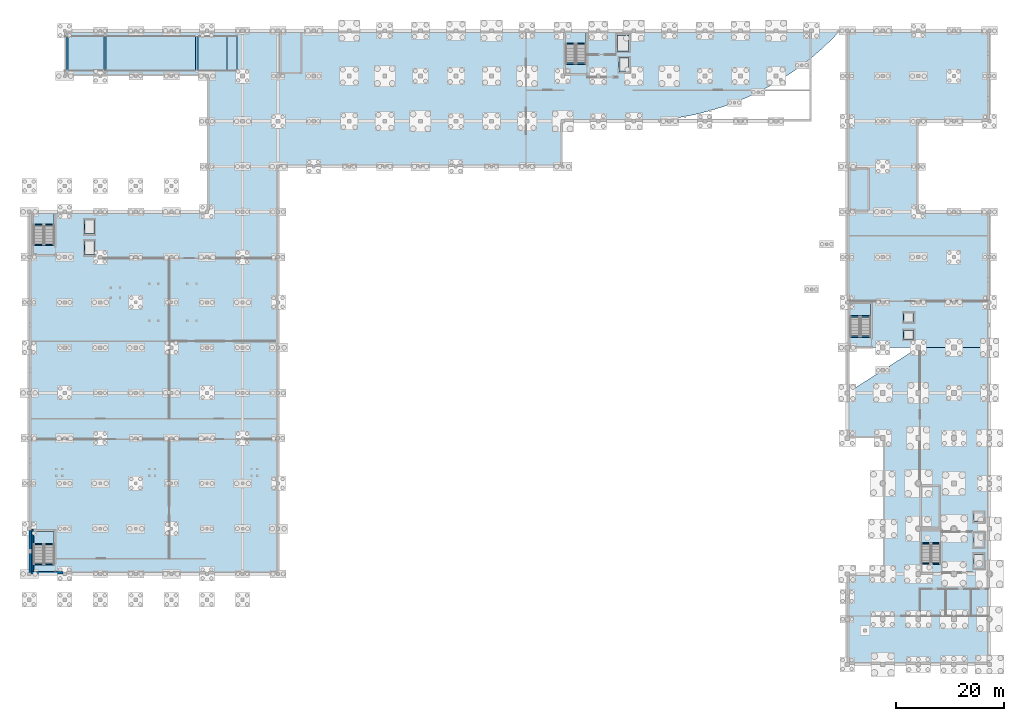
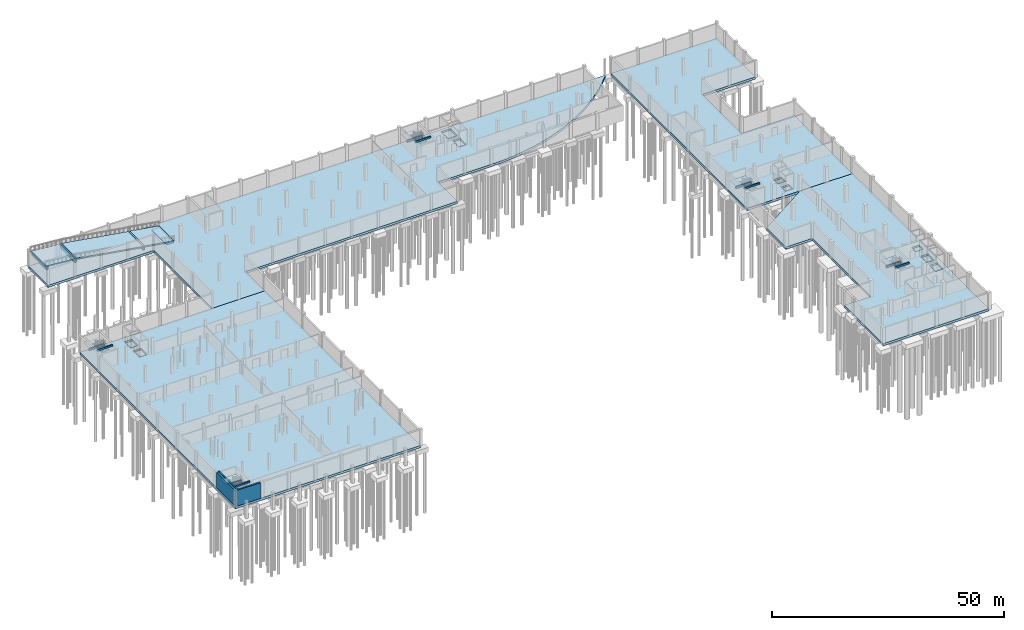
# One storey, part 12 of 25: 24 slabs, 13 beams, 3 walls, 5 elements without a shape of their own.
"""IFC4 building model written with IfcOpenShell, lengths in metres."""

import ifcopenshell
import ifcopenshell.guid

model = None  # the IFC model being written
_history = None  # IfcOwnerHistory: only IFC2X3 demands one
_inside = {}  # id of a spatial element -> (the spatial element, [elements in it])
_under = {}  # id of a project, library or spatial element -> (it, [spatial elements below it])
_declared = {}  # id of a project -> (the project, [libraries it declares])
_typed = {}  # id of a type object -> (the type object, [elements of that type])
_made_of = {}  # id of a material, layer set ... -> (it, [elements and type objects made of it])


def new_model(schema):
    """Start an empty IFC model of exactly this schema.

    Asked for "IFC4X3", IfcOpenShell would pick the latest addendum, in which some entities
    have other attributes; the version numbers below select the first issue.
    IFC2X3 requires an IfcOwnerHistory on every rooted entity: one is made here for all.
    """
    global model, _history
    if schema == "IFC4X3":
        model = ifcopenshell.file(schema_version=(4, 3, 0, 0))
    else:
        model = ifcopenshell.file(schema=schema)
    _inside.clear()
    _under.clear()
    _declared.clear()
    _typed.clear()
    _made_of.clear()
    _history = None
    if model.schema == "IFC2X3":
        org = make("IfcOrganization", Name="unknown")
        user = make(
            "IfcPersonAndOrganization",
            ThePerson=make("IfcPerson", FamilyName="unknown"),
            TheOrganization=org,
        )
        app = make(
            "IfcApplication",
            ApplicationDeveloper=org,
            Version="unknown",
            ApplicationFullName="unknown",
            ApplicationIdentifier="unknown",
        )
        _history = make(
            "IfcOwnerHistory",
            OwningUser=user,
            OwningApplication=app,
            ChangeAction="ADDED",
            CreationDate=0,
        )
    return model


def make(cls, **values):
    """One entity of the class cls with the attributes given. An attribute that is None is left unset."""
    return model.create_entity(
        cls, **{name: value for name, value in values.items() if value is not None}
    )


def rooted(cls, **values):
    """An entity with a GlobalId (a new one), such as an element, a storey or a relation."""
    return make(cls, GlobalId=ifcopenshell.guid.new(), OwnerHistory=_history, **values)


def si_unit(unit_type, name, prefix=None):
    """IfcSIUnit, for example si_unit("LENGTHUNIT", "METRE", prefix="MILLI")."""
    return make("IfcSIUnit", UnitType=unit_type, Prefix=prefix, Name=name)


def assignment(units):
    """IfcUnitAssignment: the units of a project."""
    return None if units is None else make("IfcUnitAssignment", Units=units)


def point(xyz):
    """IfcCartesianPoint."""
    return None if xyz is None else make("IfcCartesianPoint", Coordinates=xyz)


def direction(xyz):
    """IfcDirection."""
    return None if xyz is None else make("IfcDirection", DirectionRatios=xyz)


def frame(location, z_axis=None, x_axis=None):
    """IfcAxis2Placement3D, a coordinate frame: its origin and axes. An axis left out is left unset."""
    return make(
        "IfcAxis2Placement3D",
        Location=point(location),
        Axis=direction(z_axis),
        RefDirection=direction(x_axis),
    )


def frame_2d(location, x_axis=None):
    """IfcAxis2Placement2D, a coordinate frame in the plane: its origin and x axis."""
    return make(
        "IfcAxis2Placement2D", Location=point(location), RefDirection=direction(x_axis)
    )


def origin():
    """The frame at (0, 0, 0) with its axes left unset."""
    return frame((0.0, 0.0, 0.0))


def origin_2d():
    """The frame at (0, 0) in the plane with its x axis left unset."""
    return frame_2d((0.0, 0.0))


def place(relative_to, where):
    """IfcLocalPlacement: puts the frame where relative to a parent placement (None: the world)."""
    return make(
        "IfcLocalPlacement", PlacementRelTo=relative_to, RelativePlacement=where
    )


def context(
    kind, dimensions, precision=None, world=None, true_north=None, identifier=None
):
    """IfcGeometricRepresentationContext, for example the 3D "Model" context."""
    return make(
        "IfcGeometricRepresentationContext",
        ContextIdentifier=identifier,
        ContextType=kind,
        CoordinateSpaceDimension=dimensions,
        Precision=precision,
        WorldCoordinateSystem=world,
        TrueNorth=true_north,
    )


def subcontext(parent, identifier, kind, view, scale=None):
    """IfcGeometricRepresentationSubContext, for example "Body" below "Model"."""
    return make(
        "IfcGeometricRepresentationSubContext",
        ContextIdentifier=identifier,
        ContextType=kind,
        ParentContext=parent,
        TargetScale=scale,
        TargetView=view,
    )


def project(units=None, contexts=None):
    """IfcProject with its units and contexts."""
    return rooted(
        "IfcProject",
        Name="project",
        RepresentationContexts=contexts,
        UnitsInContext=assignment(units),
    )


def spatial(cls, under=None, at=None, **own):
    """A site, building, storey or space (cls), placed at a placement, below another one or the project."""
    s = rooted(cls, ObjectPlacement=at, **own)
    if under is not None:
        _under.setdefault(under.id(), (under, []))[1].append(s)
    return s


def polyline(points):
    """IfcPolyline through the points."""
    return make("IfcPolyline", Points=[point(p) for p in points])


def profile(cls, at=None, kind="AREA", **sizes):
    """A parametric profile (cls). Its sizes go by their IFC names, for example OverallWidth=200.0."""
    return make(cls, ProfileType=kind, Position=at, **sizes)


def rectangle(**sizes):
    """IfcRectangleProfileDef."""
    return profile("IfcRectangleProfileDef", **sizes)


def outline(outer, holes=None, kind="AREA"):
    """IfcArbitraryClosedProfileDef: a profile drawn as a closed curve; with holes, ...WithVoids."""
    if holes is None:
        return make("IfcArbitraryClosedProfileDef", ProfileType=kind, OuterCurve=outer)
    return make(
        "IfcArbitraryProfileDefWithVoids",
        ProfileType=kind,
        OuterCurve=outer,
        InnerCurves=holes,
    )


def extrude(swept, where, along, depth):
    """IfcExtrudedAreaSolid: the profile swept, set in the frame where, extruded along a direction by depth."""
    return make(
        "IfcExtrudedAreaSolid",
        SweptArea=swept,
        Position=where,
        ExtrudedDirection=direction(along),
        Depth=depth,
    )


def shape(context_of_items, identifier, shape_type, items):
    """IfcShapeRepresentation: the items that make up one representation, for example the "Body"."""
    return make(
        "IfcShapeRepresentation",
        ContextOfItems=context_of_items,
        RepresentationIdentifier=identifier,
        RepresentationType=shape_type,
        Items=items,
    )


def material(Name=None, Category=None):
    """IfcMaterial."""
    return make("IfcMaterial", Name=Name, Category=Category)


def layer(
    of_material, thickness, ventilated=None, Name=None, Category=None, Priority=None
):
    """IfcMaterialLayer: one layer of a wall or slab, of a material (None: an air gap)."""
    return make(
        "IfcMaterialLayer",
        Material=of_material,
        LayerThickness=thickness,
        IsVentilated=ventilated,
        Name=Name,
        Category=Category,
        Priority=Priority,
    )


def layer_set(layers, Name=None):
    """IfcMaterialLayerSet."""
    return make("IfcMaterialLayerSet", MaterialLayers=layers, LayerSetName=Name)


def material_profile(
    of_material, cross_section, Name=None, Category=None, Priority=None
):
    """IfcMaterialProfile: a cross section and its material."""
    return make(
        "IfcMaterialProfile",
        Name=Name,
        Material=of_material,
        Profile=cross_section,
        Priority=Priority,
        Category=Category,
    )


def profile_set(profiles, Name=None, composite=None):
    """IfcMaterialProfileSet."""
    return make(
        "IfcMaterialProfileSet",
        Name=Name,
        MaterialProfiles=profiles,
        CompositeProfile=composite,
    )


def made_of(thing, what):
    """Note that an element or type object is made of a material, layer set ...; save() writes the relation."""
    if what is not None:
        _made_of.setdefault(what.id(), (what, []))[1].append(thing)
    return thing


def type_object(cls, material=None, **own):
    """A type object (cls), such as IfcWallType, which elements share."""
    return made_of(rooted(cls, **own), material)


def element(
    cls,
    number,
    at=None,
    inside=None,
    cuts=None,
    type_object=None,
    material=None,
    context=None,
    identifier="Body",
    shape_type=None,
    held_by="IfcProductDefinitionShape",
    body=None,
    shapes=None,
    **own,
):
    """One element of the class cls, such as IfcWall. Its Tag is "e" and its number.

    at: its placement. inside: the storey or other place that contains it. cuts: it is an
    opening in that element (IfcRelVoidsElement). A single representation is given by context,
    identifier, shape_type and body (its items); several are given by shapes. held_by: the class
    of the entity that holds the representations. save() writes the other relations.
    """
    e = rooted(cls, Tag="e%d" % number, ObjectPlacement=at, **own)
    if body is not None:
        shapes = [shape(context, identifier, shape_type, body)]
    if shapes is not None:
        e.Representation = make(held_by, Representations=shapes)
    if inside is not None:
        _inside.setdefault(inside.id(), (inside, []))[1].append(e)
    if cuts is not None:
        rooted(
            "IfcRelVoidsElement", RelatingBuildingElement=cuts, RelatedOpeningElement=e
        )
    if type_object is not None:
        _typed.setdefault(type_object.id(), (type_object, []))[1].append(e)
    return made_of(e, material)


def aggregate(whole, parts):
    """IfcRelAggregates: a whole, such as a stair, and the parts it consists of."""
    return rooted("IfcRelAggregates", RelatingObject=whole, RelatedObjects=parts)


def save(model, path):
    """Write the relations noted so far, then the file.

    IfcRelAggregates (storeys below a building ...), IfcRelContainedInSpatialStructure (elements
    in a storey), IfcRelDefinesByType, IfcRelAssociatesMaterial and IfcRelDeclares: one each for
    every whole, place, type object, material and project.
    """
    for whole, parts in _under.values():
        aggregate(whole, parts)
    for where, things in _inside.values():
        rooted(
            "IfcRelContainedInSpatialStructure",
            RelatedElements=things,
            RelatingStructure=where,
        )
    for kind, things in _typed.values():
        rooted("IfcRelDefinesByType", RelatedObjects=things, RelatingType=kind)
    for what, things in _made_of.values():
        rooted("IfcRelAssociatesMaterial", RelatedObjects=things, RelatingMaterial=what)
    for by, libraries in _declared.values():
        rooted("IfcRelDeclares", RelatingContext=by, RelatedDefinitions=libraries)
    model.write(path)


model = new_model("IFC4")

# Units and contexts
model_context = context("Model", 3, precision=1e-05, world=origin(), true_north=direction((0.0, 1.0)))
body_context = subcontext(model_context, "Body", "Model", "MODEL_VIEW")
ifc_project = project(units=[si_unit("LENGTHUNIT", "METRE"), si_unit("AREAUNIT", "SQUARE_METRE"), si_unit("VOLUMEUNIT", "CUBIC_METRE"), si_unit("PLANEANGLEUNIT", "RADIAN"), si_unit("MASSUNIT", "GRAM", prefix="KILO")], contexts=[model_context])

# Site, building, storey
site_placement = place(None, origin())
site = spatial("IfcSite", under=ifc_project, at=site_placement, CompositionType="ELEMENT")
building_placement = place(site_placement, origin())
building = spatial("IfcBuilding", under=site, at=building_placement, Name="Qaldarim Faculty of Natural and Applied Sciences", CompositionType="ELEMENT")
storey_placement = place(building_placement, frame((0.0, 0.0, -4.5)))
storey = spatial("IfcBuildingStorey", under=building, at=storey_placement, Name="B01", CompositionType="ELEMENT", Elevation=-4.5)

# Beams
ifc_material_1 = material(Name="Concrete C50/60", Category="concrete")
ifc_material_profile_1 = material_profile(ifc_material_1, rectangle(XDim=0.39990234375, YDim=0.75, at=origin_2d()), Name="RC-B400x750")
ifc_profile_set_1 = profile_set([ifc_material_profile_1], Name="Concrete C50/60")
beam_type_1 = type_object("IfcBeamType", Name="LabGirder-RC400x750", PredefinedType="BEAM", material=ifc_profile_set_1)
for number, where, z_axis, x_axis, name in (
    (1, (7.0, 110.199951171875, 3.760009765625), (0.0, 1.0, 0.0), (-1.0, 0.0, 0.0), "Vehicle ramp transverse support girder TOP"),
    (2, (14.10009765625, 110.199951171875, 3.215087890625), (0.0, 1.0, 0.0), (-1.0, 0.0, 0.0), "Vehicle ramp transverse support girder M1"),
    (3, (31.10009765625, 110.199951171875, 0.514892578125), (0.0, 1.0, 0.0), (-1.0, 0.0, 0.0), "Vehicle ramp transverse support girder M2"),
):
    element("IfcBeam", number, at=place(storey_placement, frame(where, z_axis=z_axis, x_axis=x_axis)), inside=storey, type_object=beam_type_1, Name=name, PredefinedType="BEAM", context=body_context, shape_type="SweptSolid", body=[
        extrude(rectangle(XDim=0.39990234375, YDim=0.75, at=origin_2d()), origin(), (0.0, 0.0, 1.0), 6.400146484375),
    ])
ifc_material_2 = material(Name="Concrete C40/50", Category="concrete")
ifc_material_profile_2 = material_profile(ifc_material_2, rectangle(XDim=0.25, YDim=0.449951171875, at=origin_2d()), Name="RC-LN250x450")
ifc_profile_set_2 = profile_set([ifc_material_profile_2], Name="Concrete C40/50")
beam_type_2 = type_object("IfcBeamType", Name="LandingSupportBeam-RC250x450", PredefinedType="BEAM", material=ifc_profile_set_2)
for number, where, z_axis, x_axis, name in (
    (4, (165.60009765625, 22.455078125, 1.81494140625), (1.0, 0.0, 0.0), (0.0, 1.0, 0.0), "Stair landing support beam ST-A1 B01"),
    (5, (165.60009765625, 18.75, 3.9150390625), (1.0, 0.0, 0.0), (0.0, 1.0, 0.0), "Stair arrival support beam ST-A1 B01"),
):
    element("IfcBeam", number, at=place(storey_placement, frame(where, z_axis=z_axis, x_axis=x_axis)), inside=storey, type_object=beam_type_2, Name=name, PredefinedType="BEAM", context=body_context, shape_type="SweptSolid", body=[
        extrude(rectangle(XDim=0.25, YDim=0.449951171875, at=origin_2d()), origin(), (0.0, 0.0, 1.0), 3.5),
    ])
for number, where, z_axis, x_axis, name in (
    (6, (99.550048828125, 115.205078125, 1.81494140625), (1.0, 0.0, 0.0), (0.0, 1.0, 0.0), "Stair landing support beam ST-B1 B01"),
    (7, (99.550048828125, 111.5, 3.9150390625), (1.0, 0.0, 0.0), (0.0, 1.0, 0.0), "Stair arrival support beam ST-B1 B01"),
):
    element("IfcBeam", number, at=place(storey_placement, frame(where, z_axis=z_axis, x_axis=x_axis)), inside=storey, type_object=beam_type_2, Name=name, PredefinedType="BEAM", context=body_context, shape_type="SweptSolid", body=[
        extrude(rectangle(XDim=0.25, YDim=0.449951171875, at=origin_2d()), origin(), (0.0, 0.0, 1.0), 3.800048828125),
    ])
for number, where, z_axis, x_axis, name in (
    (8, (152.35009765625, 64.554931640625, 1.81494140625), (1.0, 0.0, 0.0), (0.0, 1.0, 0.0), "Stair landing support beam ST-C1 B01"),
    (9, (152.35009765625, 60.85009765625, 3.9150390625), (1.0, 0.0, 0.0), (0.0, 1.0, 0.0), "Stair arrival support beam ST-C1 B01"),
    (10, (0.85009765625, 22.304931640625, 1.81494140625), (1.0, 0.0, 0.0), (0.0, 1.0, 0.0), "Stair landing support beam ST-D1 B01"),
    (11, (0.85009765625, 18.60009765625, 3.9150390625), (1.0, 0.0, 0.0), (0.0, 1.0, 0.0), "Stair arrival support beam ST-D1 B01"),
    (12, (0.85009765625, 81.60498046875, 1.81494140625), (1.0, 0.0, 0.0), (0.0, 1.0, 0.0), "Stair landing support beam ST-D2 B01"),
    (13, (0.85009765625, 77.89990234375, 3.9150390625), (1.0, 0.0, 0.0), (0.0, 1.0, 0.0), "Stair arrival support beam ST-D2 B01"),
):
    element("IfcBeam", number, at=place(storey_placement, frame(where, z_axis=z_axis, x_axis=x_axis)), inside=storey, type_object=beam_type_2, Name=name, PredefinedType="BEAM", context=body_context, shape_type="SweptSolid", body=[
        extrude(rectangle(XDim=0.25, YDim=0.449951171875, at=origin_2d()), origin(), (0.0, 0.0, 1.0), 3.7998046875),
    ])

# Slabs
ifc_layer_1 = layer(ifc_material_2, 0.60009765625)
ifc_layer_set_1 = layer_set([ifc_layer_1], Name="Concrete C40/50")
slab_type_1 = type_object("IfcSlabType", Name="BaseFoundationSlab-600", PredefinedType="BASESLAB", material=ifc_layer_set_1)
slab_1_placement = place(storey_placement, frame((0.0, 0.0, -0.60009765625)))
element("IfcSlab", 14, at=slab_1_placement, inside=storey, type_object=slab_type_1, Name="Floor slab B01 WEST", PredefinedType="BASESLAB", context=body_context, shape_type="SweptSolid", body=[
    extrude(outline(polyline([(0.0, 16.800048828125), (0.0, 84.0), (46.199951171875, 84.0), (46.199951171875, 16.800048828125), (0.0, 16.800048828125)]), holes=[polyline([(10.25, 75.949951171875), (12.14990234375, 75.949951171875), (12.14990234375, 78.64990234375), (10.25, 78.64990234375), (10.25, 75.949951171875)]), polyline([(10.25, 79.85009765625), (12.14990234375, 79.85009765625), (12.14990234375, 82.550048828125), (10.25, 82.550048828125), (10.25, 79.85009765625)])]), origin(), (0.0, 0.0, 1.0), 0.60009765625),
])
slab_2_placement = place(storey_placement, frame((0.0, 0.0, -0.60009765625)))
element("IfcSlab", 15, at=slab_2_placement, inside=storey, type_object=slab_type_1, Name="Floor slab B01 V4", PredefinedType="BASESLAB", context=body_context, shape_type="SweptSolid", body=[
    extrude(outline(polyline([(33.0, 109.199951171875), (6.60009765625, 109.199951171875), (6.60009765625, 117.60009765625), (150.47509765625, 117.60009765625), (148.81494140625, 115.8798828125), (147.080078125, 114.235107421875), (145.27490234375, 112.675048828125), (143.39501953125, 111.195068359375), (141.449951171875, 109.804931640625), (139.445068359375, 108.510009765625), (137.3798828125, 107.304931640625), (135.264892578125, 106.195068359375), (133.10009765625, 105.18505859375), (130.889892578125, 104.27490234375), (128.639892578125, 103.469970703125), (126.360107421875, 102.764892578125), (124.044921875, 102.1650390625), (121.705078125, 101.675048828125), (119.344970703125, 101.294921875), (116.97509765625, 101.02001953125), (114.590087890625, 100.85498046875), (112.199951171875, 100.800048828125), (99.0, 100.800048828125), (99.0, 92.39990234375), (46.199951171875, 92.39990234375), (46.199951171875, 84.0), (33.0, 84.0), (33.0, 109.199951171875)]), holes=[polyline([(109.449951171875, 109.949951171875), (111.35009765625, 109.949951171875), (111.35009765625, 112.64990234375), (109.449951171875, 112.64990234375), (109.449951171875, 109.949951171875)]), polyline([(109.050048828125, 113.75), (111.35009765625, 113.75), (111.35009765625, 116.85009765625), (109.050048828125, 116.85009765625), (109.050048828125, 113.75)]), polyline([(36.699951171875, 110.14990234375), (38.60009765625, 110.14990234375), (38.60009765625, 116.64990234375), (36.699951171875, 116.64990234375), (36.699951171875, 110.14990234375)])]), origin(), (0.0, 0.0, 1.0), 0.60009765625),
])
slab_3_placement = place(storey_placement, frame((0.0, 0.0, -0.60009765625)))
element("IfcSlab", 16, at=slab_3_placement, inside=storey, type_object=slab_type_1, Name="Floor slab B01 V3", PredefinedType="BASESLAB", context=body_context, shape_type="SweptSolid", body=[
    extrude(outline(polyline([(151.800048828125, 58.800048828125), (151.800048828125, 117.60009765625), (178.199951171875, 117.60009765625), (178.199951171875, 100.800048828125), (165.0, 100.800048828125), (165.0, 84.0), (178.199951171875, 84.0), (178.199951171875, 58.800048828125), (151.800048828125, 58.800048828125)]), holes=[polyline([(162.25, 60.300048828125), (164.14990234375, 60.300048828125), (164.14990234375, 62.10009765625), (162.25, 62.10009765625), (162.25, 60.300048828125)]), polyline([(162.25, 63.5), (164.14990234375, 63.5), (164.14990234375, 65.300048828125), (162.25, 65.300048828125), (162.25, 63.5)])]), origin(), (0.0, 0.0, 1.0), 0.60009765625),
])
slab_4_placement = place(storey_placement, frame((0.0, 0.0, -0.60009765625)))
element("IfcSlab", 17, at=slab_4_placement, inside=storey, type_object=slab_type_1, Name="Floor slab B01 V5", PredefinedType="BASESLAB", context=body_context, shape_type="SweptSolid", body=[
    extrude(outline(polyline([(151.800048828125, 0.0), (178.199951171875, 0.0), (178.199951171875, 58.800048828125), (165.0, 58.800048828125), (151.800048828125, 50.39990234375), (151.800048828125, 42.0), (158.39990234375, 42.0), (158.39990234375, 16.800048828125), (151.800048828125, 16.800048828125), (151.800048828125, 0.0)]), holes=[polyline([(175.25, 17.85009765625), (177.14990234375, 17.85009765625), (177.14990234375, 20.550048828125), (175.25, 20.550048828125), (175.25, 17.85009765625)]), polyline([(175.25, 21.75), (177.14990234375, 21.75), (177.14990234375, 24.449951171875), (175.25, 24.449951171875), (175.25, 21.75)]), polyline([(175.25, 26.5), (177.14990234375, 26.5), (177.14990234375, 28.300048828125), (175.25, 28.300048828125), (175.25, 26.5)])]), origin(), (0.0, 0.0, 1.0), 0.60009765625),
])
ifc_layer_2 = layer(ifc_material_2, 0.2099609375)
ifc_layer_set_2 = layer_set([ifc_layer_2], Name="Concrete C40/50")
slab_type_2 = type_object("IfcSlabType", Name="LiftPitBaseSlab-210", PredefinedType="BASESLAB", material=ifc_layer_set_2)
slab_5_placement = place(storey_placement, frame((0.0, 0.0, -0.60009765625)))
element("IfcSlab", 18, at=slab_5_placement, inside=storey, type_object=slab_type_2, Name="Lift pit slab LF-A1", PredefinedType="BASESLAB", context=body_context, shape_type="SweptSolid", body=[
    extrude(outline(polyline([(175.25, 17.85009765625), (177.14990234375, 17.85009765625), (177.14990234375, 20.550048828125), (175.25, 20.550048828125), (175.25, 17.85009765625)])), origin(), (0.0, 0.0, 1.0), 0.210205078125),
])
slab_6_placement = place(storey_placement, frame((0.0, 0.0, -0.60009765625)))
element("IfcSlab", 19, at=slab_6_placement, inside=storey, type_object=slab_type_2, Name="Lift pit slab LF-A2", PredefinedType="BASESLAB", context=body_context, shape_type="SweptSolid", body=[
    extrude(outline(polyline([(175.25, 21.75), (177.14990234375, 21.75), (177.14990234375, 24.449951171875), (175.25, 24.449951171875), (175.25, 21.75)])), origin(), (0.0, 0.0, 1.0), 0.210205078125),
])
slab_7_placement = place(storey_placement, frame((0.0, 0.0, -0.60009765625)))
element("IfcSlab", 20, at=slab_7_placement, inside=storey, type_object=slab_type_2, Name="Lift pit slab LF-A3", PredefinedType="BASESLAB", context=body_context, shape_type="SweptSolid", body=[
    extrude(outline(polyline([(175.25, 26.5), (177.14990234375, 26.5), (177.14990234375, 28.300048828125), (175.25, 28.300048828125), (175.25, 26.5)])), origin(), (0.0, 0.0, 1.0), 0.210205078125),
])
slab_8_placement = place(storey_placement, frame((0.0, 0.0, -0.60009765625)))
element("IfcSlab", 21, at=slab_8_placement, inside=storey, type_object=slab_type_2, Name="Lift pit slab LF-B1", PredefinedType="BASESLAB", context=body_context, shape_type="SweptSolid", body=[
    extrude(outline(polyline([(109.449951171875, 109.949951171875), (111.35009765625, 109.949951171875), (111.35009765625, 112.64990234375), (109.449951171875, 112.64990234375), (109.449951171875, 109.949951171875)])), origin(), (0.0, 0.0, 1.0), 0.210205078125),
])
slab_9_placement = place(storey_placement, frame((0.0, 0.0, -0.60009765625)))
element("IfcSlab", 22, at=slab_9_placement, inside=storey, type_object=slab_type_2, Name="Lift pit slab LF-B2", PredefinedType="BASESLAB", context=body_context, shape_type="SweptSolid", body=[
    extrude(outline(polyline([(109.050048828125, 113.75), (111.35009765625, 113.75), (111.35009765625, 116.85009765625), (109.050048828125, 116.85009765625), (109.050048828125, 113.75)])), origin(), (0.0, 0.0, 1.0), 0.210205078125),
])
slab_10_placement = place(storey_placement, frame((0.0, 0.0, -0.60009765625)))
element("IfcSlab", 23, at=slab_10_placement, inside=storey, type_object=slab_type_2, Name="Lift pit slab LF-C1", PredefinedType="BASESLAB", context=body_context, shape_type="SweptSolid", body=[
    extrude(outline(polyline([(162.25, 60.300048828125), (164.14990234375, 60.300048828125), (164.14990234375, 62.10009765625), (162.25, 62.10009765625), (162.25, 60.300048828125)])), origin(), (0.0, 0.0, 1.0), 0.210205078125),
])
slab_11_placement = place(storey_placement, frame((0.0, 0.0, -0.60009765625)))
element("IfcSlab", 24, at=slab_11_placement, inside=storey, type_object=slab_type_2, Name="Lift pit slab LF-C2", PredefinedType="BASESLAB", context=body_context, shape_type="SweptSolid", body=[
    extrude(outline(polyline([(162.25, 63.5), (164.14990234375, 63.5), (164.14990234375, 65.300048828125), (162.25, 65.300048828125), (162.25, 63.5)])), origin(), (0.0, 0.0, 1.0), 0.210205078125),
])
slab_12_placement = place(storey_placement, frame((0.0, 0.0, -0.60009765625)))
element("IfcSlab", 25, at=slab_12_placement, inside=storey, type_object=slab_type_2, Name="Lift pit slab LF-D1", PredefinedType="BASESLAB", context=body_context, shape_type="SweptSolid", body=[
    extrude(outline(polyline([(10.25, 75.949951171875), (12.14990234375, 75.949951171875), (12.14990234375, 78.64990234375), (10.25, 78.64990234375), (10.25, 75.949951171875)])), origin(), (0.0, 0.0, 1.0), 0.210205078125),
])
slab_13_placement = place(storey_placement, frame((0.0, 0.0, -0.60009765625)))
element("IfcSlab", 26, at=slab_13_placement, inside=storey, type_object=slab_type_2, Name="Lift pit slab LF-D2", PredefinedType="BASESLAB", context=body_context, shape_type="SweptSolid", body=[
    extrude(outline(polyline([(10.25, 79.85009765625), (12.14990234375, 79.85009765625), (12.14990234375, 82.550048828125), (10.25, 82.550048828125), (10.25, 79.85009765625)])), origin(), (0.0, 0.0, 1.0), 0.210205078125),
])
slab_14_placement = place(storey_placement, frame((0.0, 0.0, -0.60009765625)))
element("IfcSlab", 27, at=slab_14_placement, inside=storey, type_object=slab_type_2, Name="Basement ramp toe recessed base slab", PredefinedType="BASESLAB", context=body_context, shape_type="SweptSolid", body=[
    extrude(outline(polyline([(36.699951171875, 110.14990234375), (38.60009765625, 110.14990234375), (38.60009765625, 116.64990234375), (36.699951171875, 116.64990234375), (36.699951171875, 110.14990234375)])), origin(), (0.0, 0.0, 1.0), 0.210205078125),
])

# Stair, slab
stair_type_1 = type_object("IfcStairType", Name="DoglegStair-W1650-H4500-28R", PredefinedType="HALF_TURN_STAIR", material=ifc_material_2)
stair_1_placement = place(storey_placement, origin())
stair_1 = element("IfcStair", 28, at=stair_1_placement, inside=storey, type_object=stair_type_1, Name="Enclosed exit stair ST-A1 B01", PredefinedType="HALF_TURN_STAIR")
ifc_layer_3 = layer(ifc_material_2, 0.2099609375)
ifc_layer_set_3 = layer_set([ifc_layer_3], Name="Concrete C40/50")
slab_type_3 = type_object("IfcSlabType", Name="StairLandingSlab-210", PredefinedType="LANDING", material=ifc_layer_set_3)
slab_15_placement = place(storey_placement, frame((0.0, 0.0, 2.0400390625)))
slab_15 = element("IfcSlab", 29, at=slab_15_placement, type_object=slab_type_3, Name="ST-A1 B01 half-landing 1", PredefinedType="LANDING", context=body_context, shape_type="SweptSolid", body=[
    extrude(outline(polyline([(169.10009765625, 22.43994140625), (169.10009765625, 24.75), (165.60009765625, 24.75), (165.60009765625, 22.43994140625), (169.10009765625, 22.43994140625)])), origin(), (0.0, 0.0, 1.0), 0.2099609375),
])
aggregate(stair_1, [slab_15])

stair_type_2 = type_object("IfcStairType", Name="DoglegStair-W1800-H4500-28R", PredefinedType="HALF_TURN_STAIR", material=ifc_material_2)
stair_2_placement = place(storey_placement, origin())
stair_2 = element("IfcStair", 30, at=stair_2_placement, inside=storey, type_object=stair_type_2, Name="Enclosed exit stair ST-B1 B01", PredefinedType="HALF_TURN_STAIR")
slab_16_placement = place(storey_placement, frame((0.0, 0.0, 2.0400390625)))
slab_16 = element("IfcSlab", 31, at=slab_16_placement, type_object=slab_type_3, Name="ST-B1 B01 half-landing 1", PredefinedType="LANDING", context=body_context, shape_type="SweptSolid", body=[
    extrude(outline(polyline([(103.35009765625, 115.18994140625), (103.35009765625, 117.60009765625), (99.550048828125, 117.60009765625), (99.550048828125, 115.18994140625), (103.35009765625, 115.18994140625)])), origin(), (0.0, 0.0, 1.0), 0.2099609375),
])
aggregate(stair_2, [slab_16])

stair_3_placement = place(storey_placement, origin())
stair_3 = element("IfcStair", 32, at=stair_3_placement, inside=storey, type_object=stair_type_2, Name="Enclosed exit stair ST-C1 B01", PredefinedType="HALF_TURN_STAIR")
slab_17_placement = place(storey_placement, frame((0.0, 0.0, 2.0400390625)))
slab_17 = element("IfcSlab", 33, at=slab_17_placement, type_object=slab_type_3, Name="ST-C1 B01 half-landing 1", PredefinedType="LANDING", context=body_context, shape_type="SweptSolid", body=[
    extrude(outline(polyline([(156.14990234375, 64.5400390625), (156.14990234375, 66.949951171875), (152.35009765625, 66.949951171875), (152.35009765625, 64.5400390625), (156.14990234375, 64.5400390625)])), origin(), (0.0, 0.0, 1.0), 0.2099609375),
])
aggregate(stair_3, [slab_17])

stair_4_placement = place(storey_placement, origin())
stair_4 = element("IfcStair", 34, at=stair_4_placement, inside=storey, type_object=stair_type_2, Name="Enclosed exit stair ST-D1 B01", PredefinedType="HALF_TURN_STAIR")
slab_18_placement = place(storey_placement, frame((0.0, 0.0, 2.0400390625)))
slab_18 = element("IfcSlab", 35, at=slab_18_placement, type_object=slab_type_3, Name="ST-D1 B01 half-landing 1", PredefinedType="LANDING", context=body_context, shape_type="SweptSolid", body=[
    extrude(outline(polyline([(4.64990234375, 22.2900390625), (4.64990234375, 24.699951171875), (0.85009765625, 24.699951171875), (0.85009765625, 22.2900390625), (4.64990234375, 22.2900390625)])), origin(), (0.0, 0.0, 1.0), 0.2099609375),
])
aggregate(stair_4, [slab_18])

stair_5_placement = place(storey_placement, origin())
stair_5 = element("IfcStair", 36, at=stair_5_placement, inside=storey, type_object=stair_type_2, Name="Enclosed exit stair ST-D2 B01", PredefinedType="HALF_TURN_STAIR")
slab_19_placement = place(storey_placement, frame((0.0, 0.0, 2.0400390625)))
slab_19 = element("IfcSlab", 37, at=slab_19_placement, type_object=slab_type_3, Name="ST-D2 B01 half-landing 1", PredefinedType="LANDING", context=body_context, shape_type="SweptSolid", body=[
    extrude(outline(polyline([(4.64990234375, 81.590087890625), (4.64990234375, 84.0), (0.85009765625, 84.0), (0.85009765625, 81.590087890625), (4.64990234375, 81.590087890625)])), origin(), (0.0, 0.0, 1.0), 0.2099609375),
])
aggregate(stair_5, [slab_19])

# Slabs
ifc_layer_4 = layer(ifc_material_2, 0.300048828125)
ifc_layer_set_4 = layer_set([ifc_layer_4], Name="Concrete C40/50")
slab_type_4 = type_object("IfcSlabType", Name="VehicleRampSlab-300", PredefinedType="FLOOR", material=ifc_layer_set_4)
slab_20_placement = place(storey_placement, frame((6.5771484375, 110.14990234375, 4.200927734375), z_axis=(0.083332484844, 0.0, 0.996521799546), x_axis=(0.996521799546, 0.0, -0.083332484844)))
element("IfcSlab", 38, at=slab_20_placement, inside=storey, type_object=slab_type_4, Name="Car park vehicle ramp slab RMP01 flight F1", PredefinedType="FLOOR", context=body_context, shape_type="SweptSolid", body=[
    extrude(outline(polyline([(0.0, 0.0), (7.321363607726494, 0.0), (7.321363607726494, 6.500000000000002), (0.0, 6.500000000000002), (0.0, 0.0)])), origin(), (0.0, 0.0, 1.0), 0.300048828125),
])
slab_21_placement = place(storey_placement, frame((14.25390625, 110.14990234375, 3.59375), z_axis=(0.160576256577, 0.0, 0.987023437322), x_axis=(0.987023437322, 0.0, -0.160576256577)))
element("IfcSlab", 39, at=slab_21_placement, inside=storey, type_object=slab_type_4, Name="Car park vehicle ramp slab RMP01 flight F2", PredefinedType="FLOOR", context=body_context, shape_type="SweptSolid", body=[
    extrude(outline(polyline([(0.0, 0.0), (16.81413696785878, 0.0), (16.81413696785878, 6.5), (0.0, 6.5), (0.0, 0.0)])), origin(), (0.0, 0.0, 1.0), 0.300048828125),
])
slab_22_placement = place(storey_placement, frame((31.253662109375, 110.14990234375, 0.893798828125), z_axis=(0.160970395918, 0.0, 0.986959235044), x_axis=(0.986959235044, 0.0, -0.160970395918)))
element("IfcSlab", 40, at=slab_22_placement, inside=storey, type_object=slab_type_4, Name="Car park vehicle ramp slab RMP01 flight F3", PredefinedType="FLOOR", context=body_context, shape_type="SweptSolid", body=[
    extrude(outline(polyline([(0.0, 0.0), (7.39229968011465, 0.0), (7.39229968011465, 6.5), (0.0, 6.5), (0.0, 0.0)])), origin(), (0.0, 0.0, 1.0), 0.300048828125),
])
slab_23_placement = place(storey_placement, frame((0.0, 0.0, 3.590087890625)))
element("IfcSlab", 41, at=slab_23_placement, inside=storey, type_object=slab_type_4, Name="Car park vehicle ramp slab RMP01 transition landing M1", PredefinedType="FLOOR", context=body_context, shape_type="SweptSolid", body=[
    extrude(outline(polyline([(13.89990234375, 110.14990234375), (14.300048828125, 110.14990234375), (14.300048828125, 116.64990234375), (13.89990234375, 116.64990234375), (13.89990234375, 110.14990234375)])), origin(), (0.0, 0.0, 1.0), 0.2998046875),
])
slab_24_placement = place(storey_placement, frame((0.0, 0.0, 0.889892578125)))
element("IfcSlab", 42, at=slab_24_placement, inside=storey, type_object=slab_type_4, Name="Car park vehicle ramp slab RMP01 transition landing M2", PredefinedType="FLOOR", context=body_context, shape_type="SweptSolid", body=[
    extrude(outline(polyline([(30.89990234375, 110.14990234375), (31.300048828125, 110.14990234375), (31.300048828125, 116.64990234375), (30.89990234375, 116.64990234375), (30.89990234375, 110.14990234375)])), origin(), (0.0, 0.0, 1.0), 0.300048828125),
])

# Walls
ifc_layer_5 = layer(ifc_material_2, 0.419921875)
ifc_layer_set_5 = layer_set([ifc_layer_5], Name="Concrete C40/50")
wall_type_1 = type_object("IfcWallType", Name="BasementRetainingWall-420", PredefinedType="SOLIDWALL", material=ifc_layer_set_5)
wall_1_placement = place(storey_placement, frame((0.35009765625, 17.010009765625, 0.0), z_axis=(0.0, 0.0, 1.0), x_axis=(1.0, 0.0, 0.0)))
element("IfcWall", 43, at=wall_1_placement, inside=storey, type_object=wall_type_1, Name="Basement retaining wall S X01Y03", PredefinedType="SOLIDWALL", context=body_context, shape_type="SweptSolid", body=[
    extrude(rectangle(XDim=5.89990234375, YDim=0.419921875, at=frame_2d((2.949951171875, 0.0))), origin(), (0.0, 0.0, 1.0), 4.139892578125),
])
wall_2_placement = place(storey_placement, frame((0.2099609375, 24.905029296875, 0.0), z_axis=(0.0, 0.0, 1.0), x_axis=(0.0, -1.0, 0.0)))
element("IfcWall", 44, at=wall_2_placement, inside=storey, type_object=wall_type_1, Name="Basement retaining wall W X01Y03", PredefinedType="SOLIDWALL", context=body_context, shape_type="SweptSolid", body=[
    extrude(rectangle(XDim=7.81005859375, YDim=0.419921875, at=frame_2d((3.905029296875, 0.0))), origin(), (0.0, 0.0, 1.0), 4.139892578125),
])
ifc_layer_6 = layer(ifc_material_1, 0.360107421875)
ifc_layer_set_6 = layer_set([ifc_layer_6], Name="Concrete C50/60")
wall_type_2 = type_object("IfcWallType", Name="CoreShearWall-360", PredefinedType="SHEAR", material=ifc_layer_set_6)
wall_3_placement = place(storey_placement, frame((0.669921875, 17.010009765625, 0.0), z_axis=(0.0, 0.0, 1.0), x_axis=(0.0, 1.0, 0.0)))
element("IfcWall", 45, at=wall_3_placement, inside=storey, type_object=wall_type_2, Name="Core stair ST-D1 west shear wall B01", PredefinedType="SHEAR", context=body_context, shape_type="SweptSolid", body=[
    extrude(rectangle(XDim=8.050048828125, YDim=0.360107421875, at=frame_2d((4.02490234375, 0.0))), origin(), (0.0, 0.0, 1.0), 4.139892578125),
])

save(model, "model.ifc")
